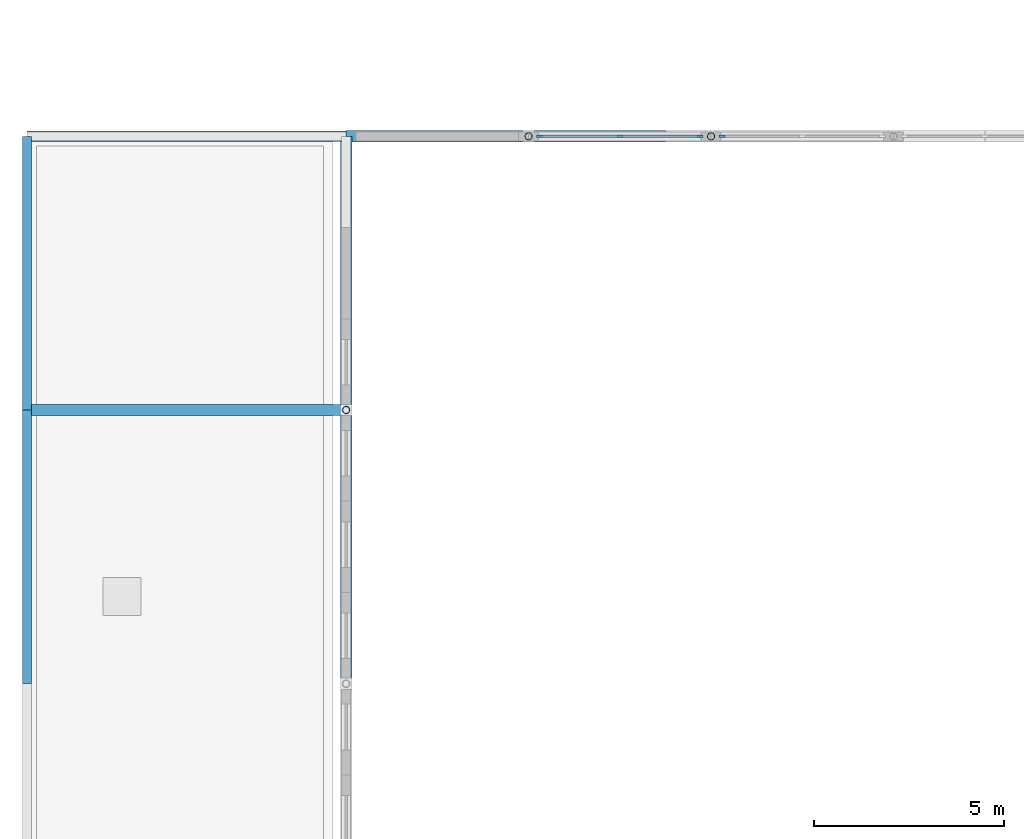
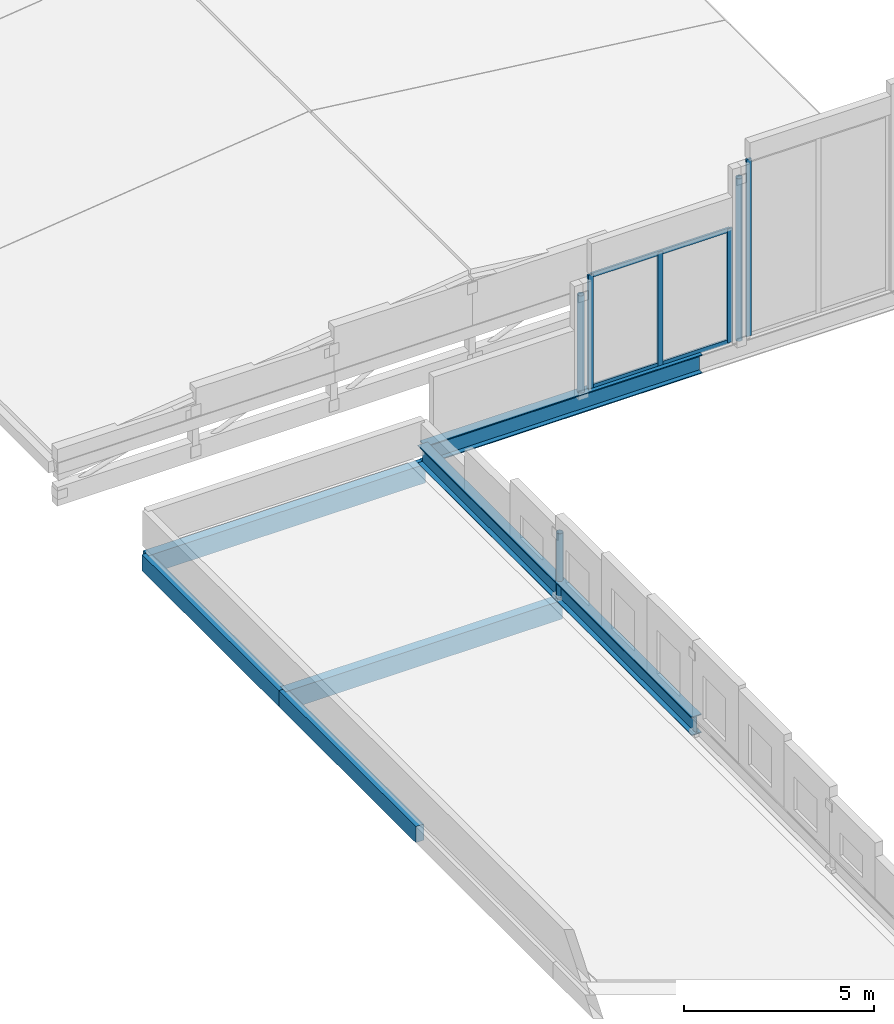
# One storey, part 4 of 34: 9 members, 7 beams, 2 elements without a shape of their own.
"""IFC4 building model written with IfcOpenShell, lengths in metres."""

from ifc_helpers import new_model, si_unit, direction, frame, origin, origin_2d, place, context, subcontext, project, spatial, rectangle, hollow_circle, i_section, extrude, material, material_profile, profile_set, type_object, element, aggregate, save


model = new_model("IFC4")

# Units and contexts
model_context = context("Model", 3, precision=1e-05, world=origin(), true_north=direction((0.0, 1.0)))
body_context = subcontext(model_context, "Body", "Model", "MODEL_VIEW")
ifc_project = project(units=[si_unit("LENGTHUNIT", "METRE"), si_unit("AREAUNIT", "SQUARE_METRE"), si_unit("VOLUMEUNIT", "CUBIC_METRE"), si_unit("PLANEANGLEUNIT", "RADIAN"), si_unit("MASSUNIT", "GRAM", prefix="KILO")], contexts=[model_context])

# Site, building, storey
site_placement = place(None, origin())
site = spatial("IfcSite", under=ifc_project, at=site_placement, CompositionType="ELEMENT")
building_placement = place(site_placement, origin())
building = spatial("IfcBuilding", under=site, at=building_placement, Name="Kahlenmark Community Centre", CompositionType="ELEMENT")
storey_placement = place(building_placement, frame((0.0, 0.0, 17.699951171875)))
storey = spatial("IfcBuildingStorey", under=building, at=storey_placement, Name="L04", CompositionType="ELEMENT", Elevation=17.699951171875)

# Beams
ifc_material_1 = material(Name="Glulam GL32h", Category="wood")
ifc_material_profile_1 = material_profile(ifc_material_1, rectangle(XDim=0.239990234375, YDim=0.52001953125, at=origin_2d()), Name="GL32h 240x520")
ifc_profile_set_1 = profile_set([ifc_material_profile_1], Name="Glulam GL32h")
beam_type_1 = type_object("IfcBeamType", Name="BT-BEAM-GL32h240x520", PredefinedType="BEAM", material=ifc_profile_set_1)
beam_1_placement = place(storey_placement, frame((4.0, 23.199951171875, -0.5400390625), z_axis=(0.0, 1.0, 0.0), x_axis=(-1.0, 0.0, 0.0)))
element("IfcBeam", 1, at=beam_1_placement, inside=storey, type_object=beam_type_1, Name="L04 beam BG-RF520", PredefinedType="BEAM", context=body_context, shape_type="SweptSolid", body=[
    extrude(rectangle(XDim=0.239990234375, YDim=0.52001953125, at=origin_2d()), origin(), (0.0, 0.0, 1.0), 7.199951171875),
])
beam_2_placement = place(storey_placement, frame((4.0, 30.39990234375, -0.5400390625), z_axis=(0.0, 1.0, 0.0), x_axis=(-1.0, 0.0, 0.0)))
element("IfcBeam", 2, at=beam_2_placement, inside=storey, type_object=beam_type_1, Name="L04 beam BG-RF520", PredefinedType="BEAM", context=body_context, shape_type="SweptSolid", body=[
    extrude(rectangle(XDim=0.239990234375, YDim=0.52001953125, at=origin_2d()), origin(), (0.0, 0.0, 1.0), 7.2001953125),
])
ifc_material_profile_2 = material_profile(ifc_material_1, rectangle(XDim=0.280029296875, YDim=0.60009765625, at=origin_2d()), Name="GL32h 280x600")
ifc_profile_set_2 = profile_set([ifc_material_profile_2], Name="Glulam GL32h")
beam_type_2 = type_object("IfcBeamType", Name="BT-BEAM-GL32h280x600", PredefinedType="BEAM", material=ifc_profile_set_2)
for number, where, z_axis, x_axis, name in (
    (3, (4.0, 30.39990234375, -0.579833984375), (1.0, 0.0, 0.0), (0.0, 1.0, 0.0), "L04 beam BG-RF600"),
    (4, (4.0, 37.60009765625, -0.579833984375), (1.0, 0.0, 0.0), (0.0, 1.0, 0.0), "L04 beam BG-RF600"),
):
    element("IfcBeam", number, at=place(storey_placement, frame(where, z_axis=z_axis, x_axis=x_axis)), inside=storey, type_object=beam_type_2, Name=name, PredefinedType="BEAM", context=body_context, shape_type="SweptSolid", body=[
        extrude(rectangle(XDim=0.280029296875, YDim=0.60009765625, at=origin_2d()), origin(), (0.0, 0.0, 1.0), 8.39990234375),
    ])
ifc_material_2 = material(Name="Steel S355", Category="steel")
ifc_material_profile_3 = material_profile(ifc_material_2, i_section(OverallWidth=0.300048828125, OverallDepth=0.60009765625, WebThickness=0.015380859375, FlangeThickness=0.030029296875, at=origin_2d()), Name="HEB 600")
ifc_profile_set_3 = profile_set([ifc_material_profile_3], Name="Steel S355")
beam_type_3 = type_object("IfcBeamType", Name="BT-SPANDREL-HEB600", PredefinedType="SPANDREL", material=ifc_profile_set_3)
beam_3_placement = place(storey_placement, frame((12.39990234375, 37.60009765625, 0.0), z_axis=(1.0, 0.0, 0.0), x_axis=(0.0, 1.0, 0.0)))
element("IfcBeam", 5, at=beam_3_placement, inside=storey, type_object=beam_type_3, Name="L04 spandrel RB-1", PredefinedType="SPANDREL", context=body_context, shape_type="SweptSolid", body=[
    extrude(i_section(OverallWidth=0.300048828125, OverallDepth=0.60009765625, WebThickness=0.015380859375, FlangeThickness=0.030029296875, at=origin_2d()), origin(), (0.0, 0.0, 1.0), 8.400146484375),
])
beam_4_placement = place(storey_placement, frame((12.39990234375, 23.199951171875, 0.0), z_axis=(0.0, 1.0, 0.0), x_axis=(-1.0, 0.0, 0.0)))
element("IfcBeam", 6, at=beam_4_placement, inside=storey, type_object=beam_type_3, Name="L04 spandrel RB-1", PredefinedType="SPANDREL", context=body_context, shape_type="SweptSolid", body=[
    extrude(i_section(OverallWidth=0.300048828125, OverallDepth=0.60009765625, WebThickness=0.015380859375, FlangeThickness=0.030029296875, at=origin_2d()), origin(), (0.0, 0.0, 1.0), 7.199951171875),
])
beam_5_placement = place(storey_placement, frame((12.39990234375, 30.39990234375, 0.0), z_axis=(0.0, 1.0, 0.0), x_axis=(-1.0, 0.0, 0.0)))
element("IfcBeam", 7, at=beam_5_placement, inside=storey, type_object=beam_type_3, Name="L04 spandrel RB-1", PredefinedType="SPANDREL", context=body_context, shape_type="SweptSolid", body=[
    extrude(i_section(OverallWidth=0.300048828125, OverallDepth=0.60009765625, WebThickness=0.015380859375, FlangeThickness=0.030029296875, at=origin_2d()), origin(), (0.0, 0.0, 1.0), 7.2001953125),
])

# Curtain wall, members
ifc_material_3 = material(Name="Anodised aluminium unitised curtain wall", Category="aluminium")
curtain_wall_type_1 = type_object("IfcCurtainWallType", Name="CWT-UNIT-428X366", PredefinedType="USERDEFINED", material=ifc_material_3)
curtain_wall_1_placement = place(storey_placement, origin())
curtain_wall_1 = element("IfcCurtainWall", 8, at=curtain_wall_1_placement, inside=storey, type_object=curtain_wall_type_1, Name="Unitised curtain wall CW-196", ObjectType="UNITISED CURTAIN WALL", PredefinedType="USERDEFINED")
ifc_material_4 = material(Name="Anodised aluminium 6063-T6", Category="aluminium")
ifc_material_profile_4 = material_profile(ifc_material_4, rectangle(XDim=0.06005859375, YDim=0.159912109375, at=origin_2d()), Name="ALU MULLION 60x160")
ifc_profile_set_4 = profile_set([ifc_material_profile_4], Name="Anodised aluminium 6063-T6")
member_type_1 = type_object("IfcMemberType", Name="MT-MUL-160", PredefinedType="MULLION", material=ifc_profile_set_4)
member_1_placement = place(storey_placement, frame((17.489990234375, 37.60009765625, 0.300048828125), z_axis=(0.0, 0.0, 1.0), x_axis=(0.0, 1.0, 0.0)))
member_1 = element("IfcMember", 9, at=member_1_placement, type_object=member_type_1, Name="CW-196 mullion 1", PredefinedType="MULLION", context=body_context, shape_type="SweptSolid", body=[
    extrude(rectangle(XDim=0.06005859375, YDim=0.159912109375, at=origin_2d()), origin(), (0.0, 0.0, 1.0), 3.6572265625),
])
member_2_placement = place(storey_placement, frame((19.60009765625, 37.60009765625, 0.300048828125), z_axis=(0.0, 0.0, 1.0), x_axis=(0.0, 1.0, 0.0)))
member_2 = element("IfcMember", 10, at=member_2_placement, type_object=member_type_1, Name="CW-196 mullion 2", PredefinedType="MULLION", context=body_context, shape_type="SweptSolid", body=[
    extrude(rectangle(XDim=0.06005859375, YDim=0.159912109375, at=origin_2d()), origin(), (0.0, 0.0, 1.0), 3.6572265625),
])
member_3_placement = place(storey_placement, frame((21.7099609375, 37.60009765625, 0.300048828125), z_axis=(0.0, 0.0, 1.0), x_axis=(0.0, 1.0, 0.0)))
member_3 = element("IfcMember", 11, at=member_3_placement, type_object=member_type_1, Name="CW-196 mullion 3", PredefinedType="MULLION", context=body_context, shape_type="SweptSolid", body=[
    extrude(rectangle(XDim=0.06005859375, YDim=0.159912109375, at=origin_2d()), origin(), (0.0, 0.0, 1.0), 3.6572265625),
])

# Curtain wall, member
curtain_wall_type_2 = type_object("IfcCurtainWallType", Name="CWT-UNIT-428X568", PredefinedType="USERDEFINED", material=ifc_material_3)
curtain_wall_2_placement = place(storey_placement, origin())
curtain_wall_2 = element("IfcCurtainWall", 12, at=curtain_wall_2_placement, inside=storey, type_object=curtain_wall_type_2, Name="Unitised curtain wall CW-197", ObjectType="UNITISED CURTAIN WALL", PredefinedType="USERDEFINED")
member_4_placement = place(storey_placement, frame((22.2900390625, 37.60009765625, 0.300048828125), z_axis=(0.0, 0.0, 1.0), x_axis=(0.0, 1.0, 0.0)))
member_4 = element("IfcMember", 13, at=member_4_placement, type_object=member_type_1, Name="CW-197 mullion 1", PredefinedType="MULLION", context=body_context, shape_type="SweptSolid", body=[
    extrude(rectangle(XDim=0.06005859375, YDim=0.159912109375, at=origin_2d()), origin(), (0.0, 0.0, 1.0), 5.6796875),
])
aggregate(curtain_wall_2, [member_4])

# Members
ifc_material_profile_5 = material_profile(ifc_material_2, hollow_circle(Radius=0.096923828125, WallThickness=0.008056640625, at=origin_2d()), Name="CHS 193.7x8")
ifc_profile_set_5 = profile_set([ifc_material_profile_5], Name="Steel S355")
member_type_2 = type_object("IfcMemberType", Name="MT-STRUT-CHS193.7x8", PredefinedType="STRUT", material=ifc_profile_set_5)
member_5_placement = place(storey_placement, frame((12.39990234375, 30.39990234375, -0.300048828125), z_axis=(0.0, 0.0, 1.0), x_axis=(1.0, 0.0, 0.0)))
element("IfcMember", 14, at=member_5_placement, inside=storey, type_object=member_type_2, Name="L04 strut GS-POST", PredefinedType="STRUT", context=body_context, shape_type="SweptSolid", body=[
    extrude(hollow_circle(Radius=0.096923828125, WallThickness=0.008056640625, at=origin_2d()), origin(), (0.0, 0.0, 1.0), 2.1328125),
])
member_6_placement = place(storey_placement, frame((17.199951171875, 37.60009765625, 0.280029296875), z_axis=(0.0, 0.0, 1.0), x_axis=(1.0, 0.0, 0.0)))
element("IfcMember", 15, at=member_6_placement, inside=storey, type_object=member_type_2, Name="L04 strut GS-POST", PredefinedType="STRUT", context=body_context, shape_type="SweptSolid", body=[
    extrude(hollow_circle(Radius=0.096923828125, WallThickness=0.008056640625, at=origin_2d()), origin(), (0.0, 0.0, 1.0), 3.137939453125),
])
member_7_placement = place(storey_placement, frame((22.0, 37.60009765625, 0.280029296875), z_axis=(0.0, 0.0, 1.0), x_axis=(1.0, 0.0, 0.0)))
element("IfcMember", 16, at=member_7_placement, inside=storey, type_object=member_type_2, Name="L04 strut GS-POST", PredefinedType="STRUT", context=body_context, shape_type="SweptSolid", body=[
    extrude(hollow_circle(Radius=0.096923828125, WallThickness=0.008056640625, at=origin_2d()), origin(), (0.0, 0.0, 1.0), 5.216552734375),
])

# Member
ifc_material_profile_6 = material_profile(ifc_material_4, rectangle(XDim=0.06005859375, YDim=0.139892578125, at=origin_2d()), Name="ALU TRANSOM 60x140")
ifc_profile_set_6 = profile_set([ifc_material_profile_6], Name="Anodised aluminium 6063-T6")
member_type_3 = type_object("IfcMemberType", Name="MT-TRN-140", PredefinedType="USERDEFINED", material=ifc_profile_set_6)
member_8_placement = place(storey_placement, frame((17.489990234375, 37.60009765625, 0.340087890625), z_axis=(1.0, 0.0, 0.0), x_axis=(0.0, 1.0, 0.0)))
member_8 = element("IfcMember", 17, at=member_8_placement, type_object=member_type_3, Name="CW-196 transom 1", ObjectType="TRANSOM", PredefinedType="USERDEFINED", context=body_context, shape_type="SweptSolid", body=[
    extrude(rectangle(XDim=0.06005859375, YDim=0.139892578125, at=origin_2d()), origin(), (0.0, 0.0, 1.0), 4.219970703125),
])

member_9_placement = place(storey_placement, frame((17.489990234375, 37.60009765625, 3.917236328125), z_axis=(1.0, 0.0, 0.0), x_axis=(0.0, 1.0, 0.0)))
member_9 = element("IfcMember", 18, at=member_9_placement, type_object=member_type_3, Name="CW-196 transom 2", ObjectType="TRANSOM", PredefinedType="USERDEFINED", context=body_context, shape_type="SweptSolid", body=[
    extrude(rectangle(XDim=0.06005859375, YDim=0.139892578125, at=origin_2d()), origin(), (0.0, 0.0, 1.0), 4.219970703125),
])

aggregate(curtain_wall_1, [member_1, member_2, member_3, member_8, member_9])

save(model, "model.ifc")
